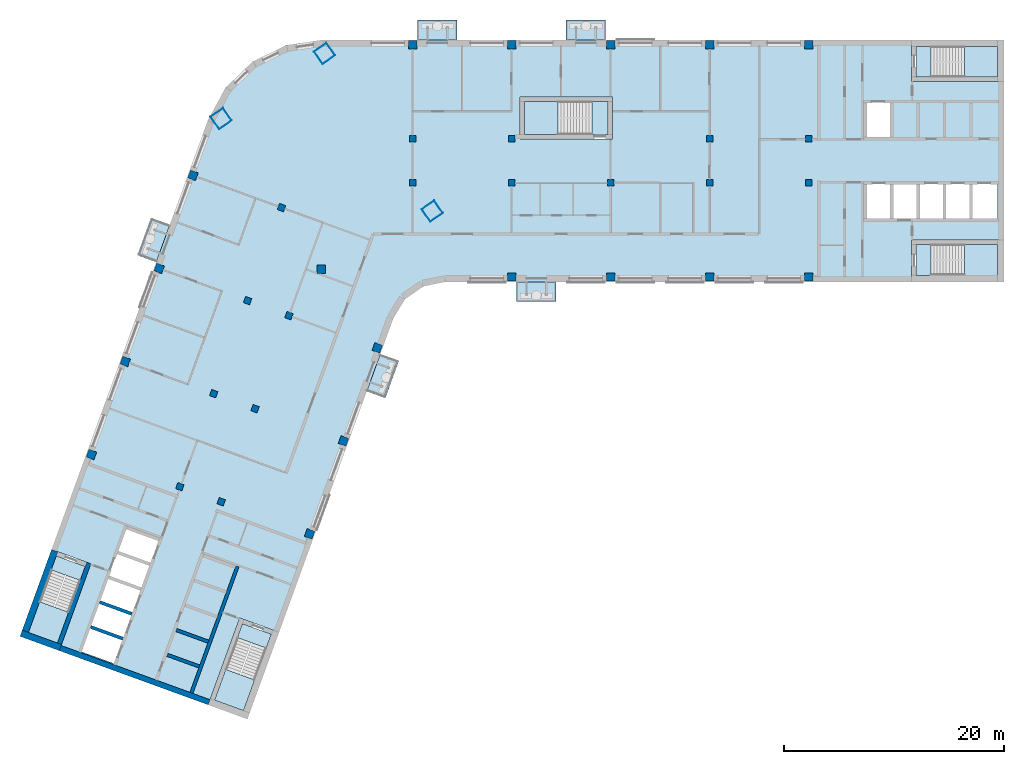
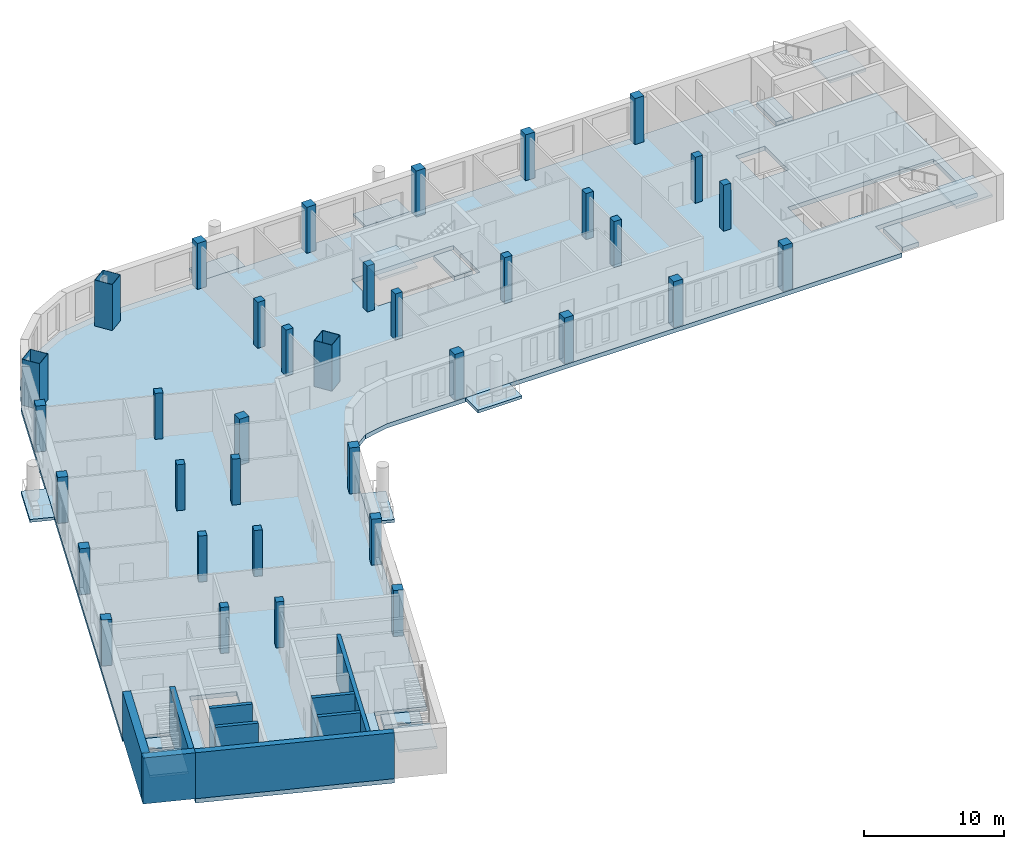
# One storey, part 1 of 10: 36 columns, 16 slabs, 9 walls, 5 elements without a shape of their own.
"""IFC4 building model written with IfcOpenShell, lengths in metres."""

from ifc_helpers import new_model, si_unit, direction, frame, frame_2d, origin, origin_2d, place, context, subcontext, project, spatial, polyline, rectangle, hollow_rectangle, outline, extrude, material, layer, layer_set, material_profile, profile_set, type_object, element, aggregate, save


model = new_model("IFC4")

# Units and contexts
model_context = context("Model", 3, precision=1e-05, world=origin(), true_north=direction((0.0, 1.0)))
body_context = subcontext(model_context, "Body", "Model", "MODEL_VIEW")
ifc_project = project(units=[si_unit("LENGTHUNIT", "METRE"), si_unit("AREAUNIT", "SQUARE_METRE"), si_unit("VOLUMEUNIT", "CUBIC_METRE"), si_unit("PLANEANGLEUNIT", "RADIAN"), si_unit("MASSUNIT", "GRAM", prefix="KILO")], contexts=[model_context])

# Site, building, storey
site_placement = place(None, origin())
site = spatial("IfcSite", under=ifc_project, at=site_placement, CompositionType="ELEMENT")
building_placement = place(site_placement, origin())
building = spatial("IfcBuilding", under=site, at=building_placement, Name="Skarvind Civic Tower", CompositionType="ELEMENT")
storey_placement = place(building_placement, frame((0.0, 0.0, 192.0)))
storey = spatial("IfcBuildingStorey", under=building, at=storey_placement, Name="L45", CompositionType="ELEMENT", Elevation=192.0)

# Columns
ifc_material_1 = material(Name="Concrete C60", Category="concrete")
ifc_material_profile_1 = material_profile(ifc_material_1, rectangle(XDim=0.60009765625, YDim=0.60009765625, at=origin_2d()), Name="RC-600x600")
ifc_profile_set_1 = profile_set([ifc_material_profile_1], Name="Concrete C60")
column_type_1 = type_object("IfcColumnType", Name="Column RC-600x600 C60", PredefinedType="COLUMN", material=ifc_profile_set_1)
for number, where, z_axis, x_axis, name in (
    (1, (54.25, 130.0, 0.0), (0.0, 0.0, 1.0), (1.0, 0.0, 0.0), "Column wing 1 north inner 02 L45"),
    (2, (63.25, 130.0, 0.0), (0.0, 0.0, 1.0), (1.0, 0.0, 0.0), "Column wing 1 north inner 03 L45"),
    (3, (81.25, 130.0, 0.0), (0.0, 0.0, 1.0), (1.0, 0.0, 0.0), "Column wing 1 north inner 05 L45"),
    (4, (90.25, 130.0, 0.0), (0.0, 0.0, 1.0), (1.0, 0.0, 0.0), "Column wing 1 north inner 06 L45"),
    (5, (54.25, 126.0, 0.0), (0.0, 0.0, 1.0), (1.0, 0.0, 0.0), "Column wing 1 south inner 02 L45"),
    (6, (63.25, 126.0, 0.0), (0.0, 0.0, 1.0), (1.0, 0.0, 0.0), "Column wing 1 south inner 03 L45"),
    (7, (72.25, 126.0, 0.0), (0.0, 0.0, 1.0), (1.0, 0.0, 0.0), "Column wing 1 south inner 04 L45"),
    (8, (81.25, 126.0, 0.0), (0.0, 0.0, 1.0), (1.0, 0.0, 0.0), "Column wing 1 south inner 05 L45"),
    (9, (90.25, 126.0, 0.0), (0.0, 0.0, 1.0), (1.0, 0.0, 0.0), "Column wing 1 south inner 06 L45"),
    (10, (43.005615234375, 113.92529296875, 0.0), (0.0, 0.0, 1.0), (-0.342020143326, -0.939692620786, 0.0), "Column wing 2 left inner 02 L45"),
    (11, (39.927490234375, 105.468017578125, 0.0), (0.0, 0.0, 1.0), (-0.342020143326, -0.939692620786, 0.0), "Column wing 2 left inner 03 L45"),
    (12, (36.84912109375, 97.010986328125, 0.0), (0.0, 0.0, 1.0), (-0.342020143326, -0.939692620786, 0.0), "Column wing 2 left inner 04 L45"),
    (13, (42.324951171875, 123.750732421875, 0.0), (0.0, 0.0, 1.0), (-0.342020143326, -0.939692620786, 0.0), "Column wing 2 right inner 01 L45"),
    (14, (39.246826171875, 115.29345703125, 0.0), (0.0, 0.0, 1.0), (-0.342020143326, -0.939692620786, 0.0), "Column wing 2 right inner 02 L45"),
    (15, (36.168701171875, 106.836181640625, 0.0), (0.0, 0.0, 1.0), (-0.342020143326, -0.939692620786, 0.0), "Column wing 2 right inner 03 L45"),
    (16, (33.090576171875, 98.37890625, 0.0), (0.0, 0.0, 1.0), (-0.342020143326, -0.939692620786, 0.0), "Column wing 2 right inner 04 L45"),
):
    element("IfcColumn", number, at=place(storey_placement, frame(where, z_axis=z_axis, x_axis=x_axis)), inside=storey, type_object=column_type_1, Name=name, PredefinedType="COLUMN", context=body_context, shape_type="SweptSolid", body=[
        extrude(rectangle(XDim=0.60009765625, YDim=0.60009765625, at=origin_2d()), origin(), (0.0, 0.0, 1.0), 4.0),
    ])
ifc_material_profile_2 = material_profile(ifc_material_1, rectangle(XDim=0.75, YDim=0.75, at=origin_2d()), Name="RC-750x750")
ifc_profile_set_2 = profile_set([ifc_material_profile_2], Name="Concrete C60")
column_type_2 = type_object("IfcColumnType", Name="Column RC-750x750 C60", PredefinedType="COLUMN", material=ifc_profile_set_2)
for number, where, z_axis, x_axis, name in (
    (17, (54.25, 138.550048828125, 0.0), (0.0, 0.0, 1.0), (1.0, 0.0, 0.0), "Column wing 1 north perimeter 02 L45"),
    (18, (63.25, 138.550048828125, 0.0), (0.0, 0.0, 1.0), (1.0, 0.0, 0.0), "Column wing 1 north perimeter 03 L45"),
    (19, (72.25, 138.550048828125, 0.0), (0.0, 0.0, 1.0), (1.0, 0.0, 0.0), "Column wing 1 north perimeter 04 L45"),
    (20, (81.25, 138.550048828125, 0.0), (0.0, 0.0, 1.0), (1.0, 0.0, 0.0), "Column wing 1 north perimeter 05 L45"),
    (21, (90.25, 138.550048828125, 0.0), (0.0, 0.0, 1.0), (1.0, 0.0, 0.0), "Column wing 1 north perimeter 06 L45"),
    (22, (45.95166015625, 118.151611328125, 0.0), (0.0, 0.0, 1.0), (1.0, 0.0, 0.0), "Column wing 1 south perimeter 01 L45"),
    (23, (63.25, 117.449951171875, 0.0), (0.0, 0.0, 1.0), (1.0, 0.0, 0.0), "Column wing 1 south perimeter 03 L45"),
    (24, (72.25, 117.449951171875, 0.0), (0.0, 0.0, 1.0), (1.0, 0.0, 0.0), "Column wing 1 south perimeter 04 L45"),
    (25, (81.25, 117.449951171875, 0.0), (0.0, 0.0, 1.0), (1.0, 0.0, 0.0), "Column wing 1 south perimeter 05 L45"),
    (26, (90.25, 117.449951171875, 0.0), (0.0, 0.0, 1.0), (1.0, 0.0, 0.0), "Column wing 1 south perimeter 06 L45"),
    (27, (51.0400390625, 111.0009765625, 0.0), (0.0, 0.0, 1.0), (-0.342020143326, -0.939692620786, 0.0), "Column wing 2 left perimeter 02 L45"),
    (28, (47.961669921875, 102.5439453125, 0.0), (0.0, 0.0, 1.0), (-0.342020143326, -0.939692620786, 0.0), "Column wing 2 left perimeter 03 L45"),
    (29, (44.883544921875, 94.086669921875, 0.0), (0.0, 0.0, 1.0), (-0.342020143326, -0.939692620786, 0.0), "Column wing 2 left perimeter 04 L45"),
    (30, (34.29052734375, 126.6748046875, 0.0), (0.0, 0.0, 1.0), (-0.342020143326, -0.939692620786, 0.0), "Column wing 2 right perimeter 01 L45"),
    (31, (31.21240234375, 118.2177734375, 0.0), (0.0, 0.0, 1.0), (-0.342020143326, -0.939692620786, 0.0), "Column wing 2 right perimeter 02 L45"),
    (32, (28.13427734375, 109.760498046875, 0.0), (0.0, 0.0, 1.0), (-0.342020143326, -0.939692620786, 0.0), "Column wing 2 right perimeter 03 L45"),
    (33, (25.05615234375, 101.30322265625, 0.0), (0.0, 0.0, 1.0), (-0.342020143326, -0.939692620786, 0.0), "Column wing 2 right perimeter 04 L45"),
):
    element("IfcColumn", number, at=place(storey_placement, frame(where, z_axis=z_axis, x_axis=x_axis)), inside=storey, type_object=column_type_2, Name=name, PredefinedType="COLUMN", context=body_context, shape_type="SweptSolid", body=[
        extrude(rectangle(XDim=0.75, YDim=0.75, at=origin_2d()), origin(), (0.0, 0.0, 1.0), 4.0),
    ])
ifc_material_2 = material(Name="Composite concrete-filled steel tube, Steel SM355 with Concrete C60", Category="concrete")
ifc_material_profile_3 = material_profile(ifc_material_2, hollow_rectangle(XDim=1.39990234375, YDim=1.39990234375, WallThickness=0.031982421875, at=origin_2d()), Name="BOX-1400x1400x32")
ifc_profile_set_3 = profile_set([ifc_material_profile_3], Name="Composite concrete-filled steel tube, Steel SM355 with Concrete C60")
column_type_3 = type_object("IfcColumnType", Name="Mega column BOX-1400x1400x32 filled C60", PredefinedType="COLUMN", material=ifc_profile_set_3)
for number, where, z_axis, x_axis, name in (
    (34, (36.845947265625, 131.837646484375, 0.0), (0.0, 0.0, 1.0), (0.573576436351, -0.819152044289, 0.0), "Mega column 1 L45"),
    (35, (46.2470703125, 137.762451171875, 0.0), (0.0, 0.0, 1.0), (0.573576436351, -0.819152044289, 0.0), "Mega column 2 L45"),
    (36, (56.0361328125, 123.43017578125, 0.0), (0.0, 0.0, 1.0), (0.573576436351, -0.819152044289, 0.0), "Mega column 4 L45"),
):
    element("IfcColumn", number, at=place(storey_placement, frame(where, z_axis=z_axis, x_axis=x_axis)), inside=storey, type_object=column_type_3, Name=name, PredefinedType="COLUMN", context=body_context, shape_type="SweptSolid", body=[
        extrude(hollow_rectangle(XDim=1.39990234375, YDim=1.39990234375, WallThickness=0.031982421875, at=origin_2d()), origin(), (0.0, 0.0, 1.0), 4.0),
    ])

# Slabs
ifc_material_3 = material(Name="Concrete C50", Category="concrete")
ifc_layer_1 = layer(ifc_material_3, 0.375)
ifc_layer_set_1 = layer_set([ifc_layer_1], Name="Floor slab 375 C50")
slab_type_1 = type_object("IfcSlabType", Name="Floor slab 375 C50", PredefinedType="FLOOR", material=ifc_layer_set_1)
slab_1_placement = place(storey_placement, frame((0.0, 0.0, -0.375)))
element("IfcSlab", 37, at=slab_1_placement, inside=storey, type_object=slab_type_1, Name="Floor slab L45 1", PredefinedType="FLOOR", context=body_context, shape_type="SweptSolid", body=[
    extrude(outline(polyline([(99.60009765625, 117.0), (99.60009765625, 120.800048828125), (108.0, 120.800048828125), (108.0, 135.199951171875), (99.60009765625, 135.199951171875), (99.60009765625, 139.0), (46.095458984375, 139.0), (42.739501953125, 138.5009765625), (39.6943359375, 137.005615234375), (37.24755859375, 134.6552734375), (35.630615234375, 131.672607421875), (19.41748046875, 87.126708984375), (21.435302734375, 92.6708984375), (25.006103515625, 91.371337890625), (22.13330078125, 83.477783203125), (36.886474609375, 78.108154296875), (35.664794921875, 78.552734375), (38.53759765625, 86.4462890625), (42.108642578125, 85.146484375), (40.0908203125, 79.602294921875), (40.0908203125, 79.602294921875), (52.493896484375, 113.68017578125), (53.560791015625, 115.421630859375), (55.23388671875, 116.593017578125), (57.235107421875, 117.0), (99.60009765625, 117.0)]), holes=[polyline([(25.671630859375, 87.9365234375), (26.492431640625, 90.19189453125), (27.313232421875, 92.447021484375), (28.134033203125, 94.702392578125), (31.3291015625, 93.53955078125), (30.50830078125, 91.2841796875), (29.6875, 89.029052734375), (28.866455078125, 86.773681640625), (28.866455078125, 86.773681640625), (28.045654296875, 84.5185546875), (27.224853515625, 82.26318359375), (24.02978515625, 83.426025390625), (24.8505859375, 85.681396484375), (25.671630859375, 87.9365234375), (25.671630859375, 87.9365234375)]), polyline([(64.0, 130.0), (64.0, 133.800048828125), (72.39990234375, 133.800048828125), (72.39990234375, 130.0), (64.0, 130.0)]), polyline([(97.800048828125, 126.0), (100.199951171875, 126.0), (102.60009765625, 126.0), (105.0, 126.0), (107.39990234375, 126.0), (107.39990234375, 122.60009765625), (105.0, 122.60009765625), (102.60009765625, 122.60009765625), (100.199951171875, 122.60009765625), (97.800048828125, 122.60009765625), (95.39990234375, 122.60009765625), (95.39990234375, 126.0), (97.800048828125, 126.0)]), polyline([(97.800048828125, 133.39990234375), (97.800048828125, 130.0), (95.39990234375, 130.0), (95.39990234375, 133.39990234375), (97.800048828125, 133.39990234375)])]), origin(), (0.0, 0.0, 1.0), 0.375),
])
ifc_material_4 = material(Name="Precast concrete C40/50", Category="concrete")
ifc_layer_2 = layer(ifc_material_4, 0.25)
ifc_layer_set_2 = layer_set([ifc_layer_2], Name="SX3 BALCONY SLAB 250")
slab_type_2 = type_object("IfcSlabType", Name="SX3 BALCONY SLAB 250", PredefinedType="FLOOR", material=ifc_layer_set_2)
slab_2_placement = place(storey_placement, frame((0.0, 0.0, -0.25)))
element("IfcSlab", 38, at=slab_2_placement, inside=storey, type_object=slab_type_2, Name="TREE BALCONY SLAB", PredefinedType="FLOOR", context=body_context, shape_type="SweptSolid", body=[
    extrude(outline(polyline([(51.308837890625, 110.42431640625), (50.07763671875, 107.04150390625), (51.76904296875, 106.42578125), (53.00048828125, 109.80859375), (51.308837890625, 110.42431640625)])), origin(), (0.0, 0.0, 1.0), 0.25),
])
slab_3_placement = place(storey_placement, frame((0.0, 0.0, -0.25)))
element("IfcSlab", 39, at=slab_3_placement, inside=storey, type_object=slab_type_2, Name="TREE BALCONY SLAB", PredefinedType="FLOOR", context=body_context, shape_type="SweptSolid", body=[
    extrude(outline(polyline([(67.300048828125, 117.0), (63.699951171875, 117.0), (63.699951171875, 115.199951171875), (67.300048828125, 115.199951171875), (67.300048828125, 117.0)])), origin(), (0.0, 0.0, 1.0), 0.25),
])
slab_4_placement = place(storey_placement, frame((0.0, 0.0, -0.25)))
element("IfcSlab", 40, at=slab_4_placement, inside=storey, type_object=slab_type_2, Name="TREE BALCONY SLAB", PredefinedType="FLOOR", context=body_context, shape_type="SweptSolid", body=[
    extrude(outline(polyline([(54.699951171875, 139.0), (58.300048828125, 139.0), (58.300048828125, 140.800048828125), (54.699951171875, 140.800048828125), (54.699951171875, 139.0)])), origin(), (0.0, 0.0, 1.0), 0.25),
])
slab_5_placement = place(storey_placement, frame((0.0, 0.0, -0.25)))
element("IfcSlab", 41, at=slab_5_placement, inside=storey, type_object=slab_type_2, Name="TREE BALCONY SLAB", PredefinedType="FLOOR", context=body_context, shape_type="SweptSolid", body=[
    extrude(outline(polyline([(68.199951171875, 139.0), (71.800048828125, 139.0), (71.800048828125, 140.800048828125), (68.199951171875, 140.800048828125), (68.199951171875, 139.0)])), origin(), (0.0, 0.0, 1.0), 0.25),
])
slab_6_placement = place(storey_placement, frame((0.0, 0.0, -0.25)))
element("IfcSlab", 42, at=slab_6_placement, inside=storey, type_object=slab_type_2, Name="TREE BALCONY SLAB", PredefinedType="FLOOR", context=body_context, shape_type="SweptSolid", body=[
    extrude(outline(polyline([(30.943603515625, 118.79443359375), (32.1748046875, 122.177490234375), (30.4833984375, 122.79296875), (29.252197265625, 119.41015625), (30.943603515625, 118.79443359375)])), origin(), (0.0, 0.0, 1.0), 0.25),
])
ifc_material_5 = material(Name="Concrete C40/50", Category="concrete")
ifc_layer_3 = layer(ifc_material_5, 0.375)
ifc_layer_set_3 = layer_set([ifc_layer_3], Name="Stair floor landing slab 375")
slab_type_3 = type_object("IfcSlabType", Name="Stair floor landing slab 375", PredefinedType="LANDING", material=ifc_layer_set_3)
slab_7_placement = place(storey_placement, frame((0.0, 0.0, -0.375)))
element("IfcSlab", 43, at=slab_7_placement, inside=storey, type_object=slab_type_3, Name="Stair floor landing", PredefinedType="LANDING", context=body_context, shape_type="SweptSolid", body=[
    extrude(outline(polyline([(101.3505859375, 138.400634765625), (101.3505859375, 135.599365234375), (99.99951171875, 135.599365234375), (99.99951171875, 138.400634765625), (101.3505859375, 138.400634765625)])), origin(), (0.0, 0.0, 1.0), 0.375),
])
slab_8_placement = place(storey_placement, frame((0.0, 0.0, -0.375)))
element("IfcSlab", 44, at=slab_8_placement, inside=storey, type_object=slab_type_3, Name="Stair floor landing", PredefinedType="LANDING", context=body_context, shape_type="SweptSolid", body=[
    extrude(outline(polyline([(101.3505859375, 120.400634765625), (101.3505859375, 117.599365234375), (99.99951171875, 117.599365234375), (99.99951171875, 120.400634765625), (101.3505859375, 120.400634765625)])), origin(), (0.0, 0.0, 1.0), 0.375),
])
slab_9_placement = place(storey_placement, frame((0.0, 0.0, -0.375)))
element("IfcSlab", 45, at=slab_9_placement, inside=storey, type_object=slab_type_3, Name="Stair floor landing", PredefinedType="LANDING", context=body_context, shape_type="SweptSolid", body=[
    extrude(outline(polyline([(40.946533203125, 83.70654296875), (38.314208984375, 84.66455078125), (38.7763671875, 85.934326171875), (41.40869140625, 84.976318359375), (40.946533203125, 83.70654296875)])), origin(), (0.0, 0.0, 1.0), 0.375),
])
slab_10_placement = place(storey_placement, frame((0.0, 0.0, -0.375)))
element("IfcSlab", 46, at=slab_10_placement, inside=storey, type_object=slab_type_3, Name="Stair floor landing", PredefinedType="LANDING", context=body_context, shape_type="SweptSolid", body=[
    extrude(outline(polyline([(24.0322265625, 89.863037109375), (21.39990234375, 90.821044921875), (21.862060546875, 92.090576171875), (24.494384765625, 91.132568359375), (24.0322265625, 89.863037109375)])), origin(), (0.0, 0.0, 1.0), 0.375),
])
slab_11_placement = place(storey_placement, frame((0.0, 0.0, -0.375)))
element("IfcSlab", 47, at=slab_11_placement, inside=storey, type_object=slab_type_3, Name="Stair floor landing", PredefinedType="LANDING", context=body_context, shape_type="SweptSolid", body=[
    extrude(outline(polyline([(70.54931640625, 130.3994140625), (70.54931640625, 133.400634765625), (72.00048828125, 133.400634765625), (72.00048828125, 130.3994140625), (70.54931640625, 130.3994140625)])), origin(), (0.0, 0.0, 1.0), 0.375),
])

# Stair, slab
stair_type_1 = type_object("IfcStairType", Name="Exit stair, half-turn, concrete", PredefinedType="HALF_TURN_STAIR", material=ifc_material_5)
stair_1_placement = place(storey_placement, origin())
stair_1 = element("IfcStair", 48, at=stair_1_placement, inside=storey, type_object=stair_type_1, Name="Exit stair C1S", PredefinedType="HALF_TURN_STAIR")
ifc_layer_4 = layer(ifc_material_5, 0.199951171875)
ifc_layer_set_4 = layer_set([ifc_layer_4], Name="Stair half landing slab")
slab_type_4 = type_object("IfcSlabType", Name="Stair half landing slab", PredefinedType="LANDING", material=ifc_layer_set_4)
slab_12_placement = place(storey_placement, frame((0.0, 0.0, 1.800048828125)))
slab_12 = element("IfcSlab", 49, at=slab_12_placement, type_object=slab_type_4, Name="ST-C1S landing 1", PredefinedType="LANDING", context=body_context, shape_type="SweptSolid", body=[
    extrude(outline(polyline([(104.429443359375, 135.599365234375), (104.429443359375, 138.400634765625), (107.400634765625, 138.400634765625), (107.400634765625, 135.599365234375), (104.429443359375, 135.599365234375)])), origin(), (0.0, 0.0, 1.0), 0.199951171875),
])
aggregate(stair_1, [slab_12])

stair_2_placement = place(storey_placement, origin())
stair_2 = element("IfcStair", 50, at=stair_2_placement, inside=storey, type_object=stair_type_1, Name="Exit stair C1N", PredefinedType="HALF_TURN_STAIR")
slab_13_placement = place(storey_placement, frame((0.0, 0.0, 1.800048828125)))
slab_13 = element("IfcSlab", 51, at=slab_13_placement, type_object=slab_type_4, Name="ST-C1N landing 1", PredefinedType="LANDING", context=body_context, shape_type="SweptSolid", body=[
    extrude(outline(polyline([(104.429443359375, 117.599365234375), (104.429443359375, 120.400634765625), (107.400634765625, 120.400634765625), (107.400634765625, 117.599365234375), (104.429443359375, 117.599365234375)])), origin(), (0.0, 0.0, 1.0), 0.199951171875),
])
aggregate(stair_2, [slab_13])

stair_3_placement = place(storey_placement, origin())
stair_3 = element("IfcStair", 52, at=stair_3_placement, inside=storey, type_object=stair_type_1, Name="Exit stair C2S", PredefinedType="HALF_TURN_STAIR")
slab_14_placement = place(storey_placement, frame((0.0, 0.0, 1.800048828125)))
slab_14 = element("IfcSlab", 53, at=slab_14_placement, type_object=slab_type_4, Name="ST-C2S landing 1", PredefinedType="LANDING", context=body_context, shape_type="SweptSolid", body=[
    extrude(outline(polyline([(37.26123046875, 81.771484375), (39.8935546875, 80.8134765625), (38.87744140625, 78.021484375), (36.2451171875, 78.9794921875), (37.26123046875, 81.771484375)])), origin(), (0.0, 0.0, 1.0), 0.199951171875),
])
aggregate(stair_3, [slab_14])

stair_4_placement = place(storey_placement, origin())
stair_4 = element("IfcStair", 54, at=stair_4_placement, inside=storey, type_object=stair_type_1, Name="Exit stair C2N", PredefinedType="HALF_TURN_STAIR")
slab_15_placement = place(storey_placement, frame((0.0, 0.0, 1.800048828125)))
slab_15 = element("IfcSlab", 55, at=slab_15_placement, type_object=slab_type_4, Name="ST-C2N landing 1", PredefinedType="LANDING", context=body_context, shape_type="SweptSolid", body=[
    extrude(outline(polyline([(20.346923828125, 87.927734375), (22.97900390625, 86.9697265625), (21.962890625, 84.177734375), (19.33056640625, 85.1357421875), (20.346923828125, 87.927734375)])), origin(), (0.0, 0.0, 1.0), 0.199951171875),
])
aggregate(stair_4, [slab_15])

stair_type_2 = type_object("IfcStairType", Name="Exit stair 1450, half-turn, concrete", PredefinedType="HALF_TURN_STAIR", material=ifc_material_5)
stair_5_placement = place(storey_placement, origin())
stair_5 = element("IfcStair", 56, at=stair_5_placement, inside=storey, type_object=stair_type_2, Name="Exit stair CM", PredefinedType="HALF_TURN_STAIR")
slab_16_placement = place(storey_placement, frame((0.0, 0.0, 1.800048828125)))
slab_16 = element("IfcSlab", 57, at=slab_16_placement, type_object=slab_type_4, Name="ST-CM landing 1", PredefinedType="LANDING", context=body_context, shape_type="SweptSolid", body=[
    extrude(outline(polyline([(67.470703125, 133.400634765625), (67.470703125, 130.3994140625), (64.3994140625, 130.3994140625), (64.3994140625, 133.400634765625), (67.470703125, 133.400634765625)])), origin(), (0.0, 0.0, 1.0), 0.199951171875),
])
aggregate(stair_5, [slab_16])

# Walls
ifc_layer_5 = layer(ifc_material_1, 0.300048828125)
ifc_layer_set_5 = layer_set([ifc_layer_5], Name="Core wall 300 C60")
wall_type_1 = type_object("IfcWallType", Name="Core wall 300 C60", PredefinedType="SHEAR", material=ifc_layer_set_5)
wall_1_placement = place(storey_placement, frame((34.144287109375, 79.638427734375, 0.0), z_axis=(0.0, 0.0, 1.0), x_axis=(0.342016684409, 0.939693879721, 0.0)))
element("IfcWall", 58, at=wall_1_placement, inside=storey, type_object=wall_type_1, Name="Core wall C2 south lift row back L45", PredefinedType="SHEAR", context=body_context, shape_type="SweptSolid", body=[
    extrude(rectangle(XDim=12.25, YDim=0.300048828125, at=frame_2d((6.125, 0.0))), origin(), (0.0, 0.0, 1.0), 4.0),
])
wall_2_placement = place(storey_placement, frame((34.8583984375, 82.038818359375, 0.0), z_axis=(0.0, 0.0, 1.0), x_axis=(-0.939689908313, 0.342027595692, 0.0)))
element("IfcWall", 59, at=wall_2_placement, inside=storey, type_object=wall_type_1, Name="Core wall C2 south lift row division 1 L45", PredefinedType="SHEAR", context=body_context, shape_type="SweptSolid", body=[
    extrude(rectangle(XDim=3.10009765625, YDim=0.300048828125, at=frame_2d((1.550048828125, 0.0))), origin(), (0.0, 0.0, 1.0), 4.0),
])
wall_3_placement = place(storey_placement, frame((35.67919921875, 84.294189453125, 0.0), z_axis=(0.0, 0.0, 1.0), x_axis=(-0.939706007505, 0.341983361377, 0.0)))
element("IfcWall", 60, at=wall_3_placement, inside=storey, type_object=wall_type_1, Name="Core wall C2 south lift row division 2 L45", PredefinedType="SHEAR", context=body_context, shape_type="SweptSolid", body=[
    extrude(rectangle(XDim=3.099853515625, YDim=0.300048828125, at=frame_2d((1.5498046875, 0.0))), origin(), (0.0, 0.0, 1.0), 4.0),
])
for number, where, z_axis, x_axis, name in (
    (61, (27.90478515625, 84.56982421875, 0.0), (0.0, 0.0, 1.0), (-0.939689908313, 0.342027595692, 0.0), "Core wall C2 north lift row division 1 L45"),
    (62, (28.7255859375, 86.824951171875, 0.0), (0.0, 0.0, 1.0), (-0.939689908313, 0.342027595692, 0.0), "Core wall C2 north lift row division 2 L45"),
):
    element("IfcWall", number, at=place(storey_placement, frame(where, z_axis=z_axis, x_axis=x_axis)), inside=storey, type_object=wall_type_1, Name=name, PredefinedType="SHEAR", context=body_context, shape_type="SweptSolid", body=[
        extrude(rectangle(XDim=3.10009765625, YDim=0.300048828125, at=frame_2d((1.550048828125, 0.0))), origin(), (0.0, 0.0, 1.0), 4.0),
    ])
ifc_layer_6 = layer(ifc_material_1, 0.39990234375)
ifc_layer_set_6 = layer_set([ifc_layer_6], Name="Core wall 400 C60")
wall_type_2 = type_object("IfcWallType", Name="Core wall 400 C60", PredefinedType="SHEAR", material=ifc_layer_set_6)
wall_4_placement = place(storey_placement, frame((22.150390625, 84.110107421875, 0.0), z_axis=(0.0, 0.0, 1.0), x_axis=(0.342016982193, 0.939693771338, 0.0)))
element("IfcWall", 63, at=wall_4_placement, inside=storey, type_object=wall_type_2, Name="Core wall C2 north stair inner L45", PredefinedType="SHEAR", context=body_context, shape_type="SweptSolid", body=[
    extrude(rectangle(XDim=7.800048828125, YDim=0.39990234375, at=frame_2d((3.89990234375, 0.0))), origin(), (0.0, 0.0, 1.0), 4.0),
])
ifc_layer_7 = layer(ifc_material_1, 0.5)
ifc_layer_set_7 = layer_set([ifc_layer_7], Name="Core wall 500 C60")
wall_type_3 = type_object("IfcWallType", Name="Core wall 500 C60", PredefinedType="SHEAR", material=ifc_layer_set_7)
wall_5_placement = place(storey_placement, frame((35.750244140625, 78.787841796875, 0.0), z_axis=(0.0, 0.0, 1.0), x_axis=(-0.939692894512, 0.342019391267, 0.0)))
element("IfcWall", 64, at=wall_5_placement, inside=storey, type_object=wall_type_3, Name="Core wall C2 tip between the stairs L45", PredefinedType="SHEAR", context=body_context, shape_type="SweptSolid", body=[
    extrude(rectangle(XDim=14.39990234375, YDim=0.5, at=frame_2d((7.199951171875, 0.0))), origin(), (0.0, 0.0, 1.0), 4.0),
])
ifc_layer_8 = layer(ifc_material_1, 0.60009765625)
ifc_layer_set_8 = layer_set([ifc_layer_8], Name="Core wall 600 C60")
wall_type_4 = type_object("IfcWallType", Name="Core wall 600 C60", PredefinedType="SHEAR", material=ifc_layer_set_8)
wall_6_placement = place(storey_placement, frame((22.23583984375, 83.759765625, 0.0), z_axis=(0.0, 0.0, 1.0), x_axis=(-0.939680822529, 0.342052557032, 0.0)))
element("IfcWall", 65, at=wall_6_placement, inside=storey, type_object=wall_type_4, Name="Core wall C2 tip at the north stair L45", PredefinedType="SHEAR", context=body_context, shape_type="SweptSolid", body=[
    extrude(rectangle(XDim=3.800048828125, YDim=0.60009765625, at=frame_2d((1.89990234375, 0.0))), origin(), (0.0, 0.0, 1.0), 4.0),
])
wall_7_placement = place(storey_placement, frame((19.049560546875, 85.23876953125, 0.0), z_axis=(0.0, 0.0, 1.0), x_axis=(0.342016982193, 0.939693771338, 0.0)))
element("IfcWall", 66, at=wall_7_placement, inside=storey, type_object=wall_type_4, Name="Core wall C2 north side at the stair L45", PredefinedType="SHEAR", context=body_context, shape_type="SweptSolid", body=[
    extrude(rectangle(XDim=7.800048828125, YDim=0.60009765625, at=frame_2d((3.89990234375, 0.0))), origin(), (0.0, 0.0, 1.0), 4.0),
])

save(model, "model.ifc")
